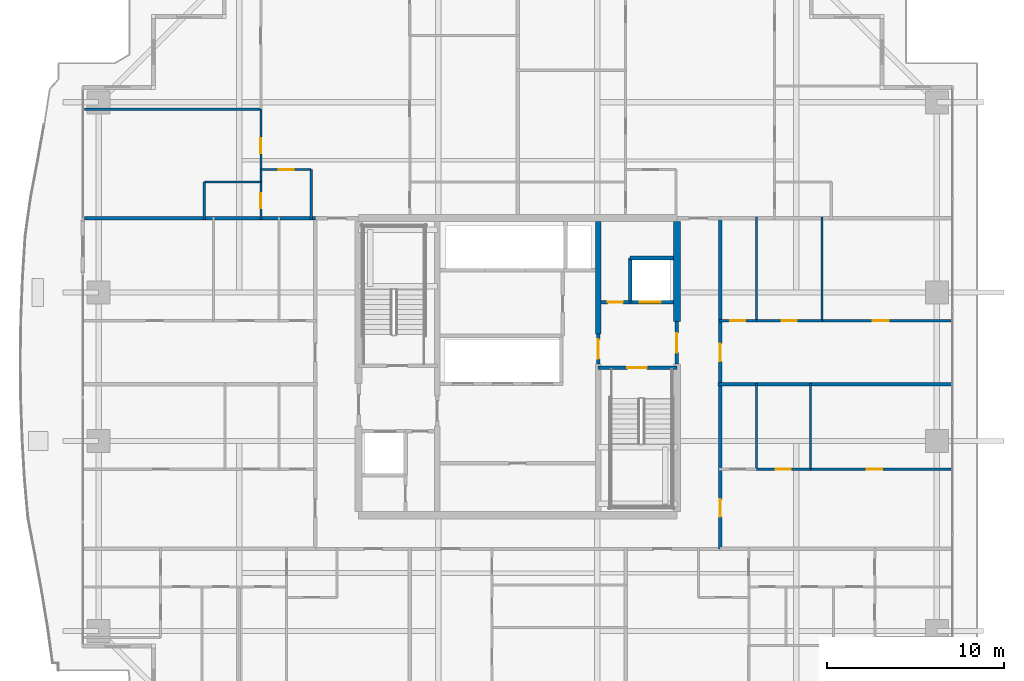
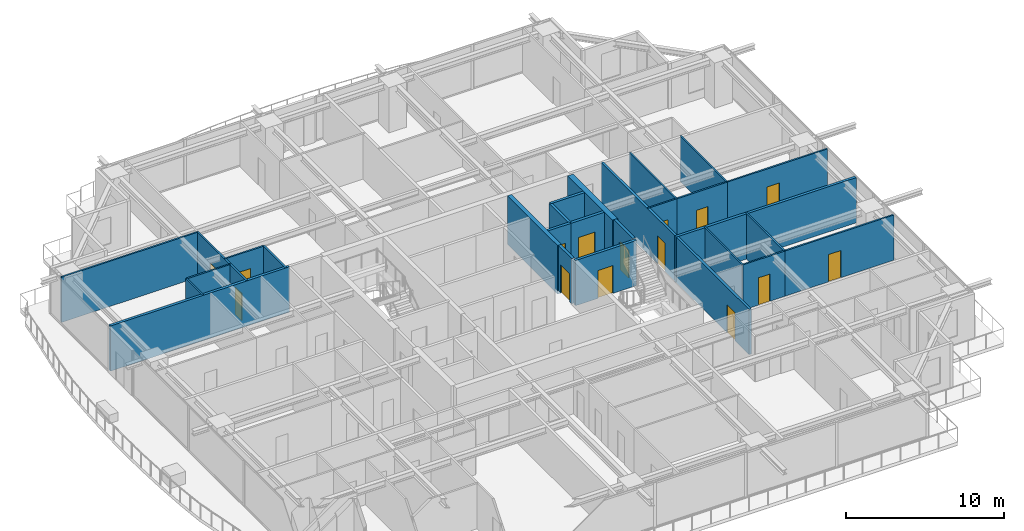
# One storey, part 29 of 37: 28 walls, 15 doors, 15 openings.
"""IFC4 building model written with IfcOpenShell, lengths in metres."""

import ifcopenshell
import ifcopenshell.guid

model = None  # the IFC model being written
_history = None  # IfcOwnerHistory: only IFC2X3 demands one
_inside = {}  # id of a spatial element -> (the spatial element, [elements in it])
_under = {}  # id of a project, library or spatial element -> (it, [spatial elements below it])
_declared = {}  # id of a project -> (the project, [libraries it declares])
_typed = {}  # id of a type object -> (the type object, [elements of that type])
_made_of = {}  # id of a material, layer set ... -> (it, [elements and type objects made of it])


def new_model(schema):
    """Start an empty IFC model of exactly this schema.

    Asked for "IFC4X3", IfcOpenShell would pick the latest addendum, in which some entities
    have other attributes; the version numbers below select the first issue.
    IFC2X3 requires an IfcOwnerHistory on every rooted entity: one is made here for all.
    """
    global model, _history
    if schema == "IFC4X3":
        model = ifcopenshell.file(schema_version=(4, 3, 0, 0))
    else:
        model = ifcopenshell.file(schema=schema)
    _inside.clear()
    _under.clear()
    _declared.clear()
    _typed.clear()
    _made_of.clear()
    _history = None
    if model.schema == "IFC2X3":
        org = make("IfcOrganization", Name="unknown")
        user = make(
            "IfcPersonAndOrganization",
            ThePerson=make("IfcPerson", FamilyName="unknown"),
            TheOrganization=org,
        )
        app = make(
            "IfcApplication",
            ApplicationDeveloper=org,
            Version="unknown",
            ApplicationFullName="unknown",
            ApplicationIdentifier="unknown",
        )
        _history = make(
            "IfcOwnerHistory",
            OwningUser=user,
            OwningApplication=app,
            ChangeAction="ADDED",
            CreationDate=0,
        )
    return model


def make(cls, **values):
    """One entity of the class cls with the attributes given. An attribute that is None is left unset."""
    return model.create_entity(
        cls, **{name: value for name, value in values.items() if value is not None}
    )


def rooted(cls, **values):
    """An entity with a GlobalId (a new one), such as an element, a storey or a relation."""
    return make(cls, GlobalId=ifcopenshell.guid.new(), OwnerHistory=_history, **values)


def si_unit(unit_type, name, prefix=None):
    """IfcSIUnit, for example si_unit("LENGTHUNIT", "METRE", prefix="MILLI")."""
    return make("IfcSIUnit", UnitType=unit_type, Prefix=prefix, Name=name)


def assignment(units):
    """IfcUnitAssignment: the units of a project."""
    return None if units is None else make("IfcUnitAssignment", Units=units)


def point(xyz):
    """IfcCartesianPoint."""
    return None if xyz is None else make("IfcCartesianPoint", Coordinates=xyz)


def direction(xyz):
    """IfcDirection."""
    return None if xyz is None else make("IfcDirection", DirectionRatios=xyz)


def frame(location, z_axis=None, x_axis=None):
    """IfcAxis2Placement3D, a coordinate frame: its origin and axes. An axis left out is left unset."""
    return make(
        "IfcAxis2Placement3D",
        Location=point(location),
        Axis=direction(z_axis),
        RefDirection=direction(x_axis),
    )


def frame_2d(location, x_axis=None):
    """IfcAxis2Placement2D, a coordinate frame in the plane: its origin and x axis."""
    return make(
        "IfcAxis2Placement2D", Location=point(location), RefDirection=direction(x_axis)
    )


def origin():
    """The frame at (0, 0, 0) with its axes left unset."""
    return frame((0.0, 0.0, 0.0))


def place(relative_to, where):
    """IfcLocalPlacement: puts the frame where relative to a parent placement (None: the world)."""
    return make(
        "IfcLocalPlacement", PlacementRelTo=relative_to, RelativePlacement=where
    )


def context(
    kind, dimensions, precision=None, world=None, true_north=None, identifier=None
):
    """IfcGeometricRepresentationContext, for example the 3D "Model" context."""
    return make(
        "IfcGeometricRepresentationContext",
        ContextIdentifier=identifier,
        ContextType=kind,
        CoordinateSpaceDimension=dimensions,
        Precision=precision,
        WorldCoordinateSystem=world,
        TrueNorth=true_north,
    )


def subcontext(parent, identifier, kind, view, scale=None):
    """IfcGeometricRepresentationSubContext, for example "Body" below "Model"."""
    return make(
        "IfcGeometricRepresentationSubContext",
        ContextIdentifier=identifier,
        ContextType=kind,
        ParentContext=parent,
        TargetScale=scale,
        TargetView=view,
    )


def project(units=None, contexts=None):
    """IfcProject with its units and contexts."""
    return rooted(
        "IfcProject",
        Name="project",
        RepresentationContexts=contexts,
        UnitsInContext=assignment(units),
    )


def spatial(cls, under=None, at=None, **own):
    """A site, building, storey or space (cls), placed at a placement, below another one or the project."""
    s = rooted(cls, ObjectPlacement=at, **own)
    if under is not None:
        _under.setdefault(under.id(), (under, []))[1].append(s)
    return s


def profile(cls, at=None, kind="AREA", **sizes):
    """A parametric profile (cls). Its sizes go by their IFC names, for example OverallWidth=200.0."""
    return make(cls, ProfileType=kind, Position=at, **sizes)


def rectangle(**sizes):
    """IfcRectangleProfileDef."""
    return profile("IfcRectangleProfileDef", **sizes)


def extrude(swept, where, along, depth):
    """IfcExtrudedAreaSolid: the profile swept, set in the frame where, extruded along a direction by depth."""
    return make(
        "IfcExtrudedAreaSolid",
        SweptArea=swept,
        Position=where,
        ExtrudedDirection=direction(along),
        Depth=depth,
    )


def shape(context_of_items, identifier, shape_type, items):
    """IfcShapeRepresentation: the items that make up one representation, for example the "Body"."""
    return make(
        "IfcShapeRepresentation",
        ContextOfItems=context_of_items,
        RepresentationIdentifier=identifier,
        RepresentationType=shape_type,
        Items=items,
    )


def source(mapping_origin, context_of_items, identifier, shape_type, items):
    """IfcRepresentationMap: a shape defined once, which mapped items show again and again."""
    return make(
        "IfcRepresentationMap",
        MappingOrigin=mapping_origin,
        MappedRepresentation=shape(context_of_items, identifier, shape_type, items),
    )


def transform(
    local_origin,
    x_axis=None,
    y_axis=None,
    z_axis=None,
    scale=None,
    scale2=None,
    scale3=None,
    uniform=True,
):
    """IfcCartesianTransformationOperator3D, or its non-uniform kind. x_axis, y_axis, z_axis: its Axis1, 2, 3."""
    if uniform:
        return make(
            "IfcCartesianTransformationOperator3D",
            Axis1=direction(x_axis),
            Axis2=direction(y_axis),
            LocalOrigin=point(local_origin),
            Scale=scale,
            Axis3=direction(z_axis),
        )
    return make(
        "IfcCartesianTransformationOperator3DnonUniform",
        Axis1=direction(x_axis),
        Axis2=direction(y_axis),
        LocalOrigin=point(local_origin),
        Scale=scale,
        Axis3=direction(z_axis),
        Scale2=scale2,
        Scale3=scale3,
    )


def mapped(mapping_source, mapping_target):
    """IfcMappedItem: shows the shape of a source again, moved by a transform."""
    return make(
        "IfcMappedItem", MappingSource=mapping_source, MappingTarget=mapping_target
    )


def material(Name=None, Category=None):
    """IfcMaterial."""
    return make("IfcMaterial", Name=Name, Category=Category)


def layer(
    of_material, thickness, ventilated=None, Name=None, Category=None, Priority=None
):
    """IfcMaterialLayer: one layer of a wall or slab, of a material (None: an air gap)."""
    return make(
        "IfcMaterialLayer",
        Material=of_material,
        LayerThickness=thickness,
        IsVentilated=ventilated,
        Name=Name,
        Category=Category,
        Priority=Priority,
    )


def layer_set(layers, Name=None):
    """IfcMaterialLayerSet."""
    return make("IfcMaterialLayerSet", MaterialLayers=layers, LayerSetName=Name)


def made_of(thing, what):
    """Note that an element or type object is made of a material, layer set ...; save() writes the relation."""
    if what is not None:
        _made_of.setdefault(what.id(), (what, []))[1].append(thing)
    return thing


def type_object(cls, material=None, **own):
    """A type object (cls), such as IfcWallType, which elements share."""
    return made_of(rooted(cls, **own), material)


def element(
    cls,
    number,
    at=None,
    inside=None,
    cuts=None,
    type_object=None,
    material=None,
    context=None,
    identifier="Body",
    shape_type=None,
    held_by="IfcProductDefinitionShape",
    body=None,
    shapes=None,
    **own,
):
    """One element of the class cls, such as IfcWall. Its Tag is "e" and its number.

    at: its placement. inside: the storey or other place that contains it. cuts: it is an
    opening in that element (IfcRelVoidsElement). A single representation is given by context,
    identifier, shape_type and body (its items); several are given by shapes. held_by: the class
    of the entity that holds the representations. save() writes the other relations.
    """
    e = rooted(cls, Tag="e%d" % number, ObjectPlacement=at, **own)
    if body is not None:
        shapes = [shape(context, identifier, shape_type, body)]
    if shapes is not None:
        e.Representation = make(held_by, Representations=shapes)
    if inside is not None:
        _inside.setdefault(inside.id(), (inside, []))[1].append(e)
    if cuts is not None:
        rooted(
            "IfcRelVoidsElement", RelatingBuildingElement=cuts, RelatedOpeningElement=e
        )
    if type_object is not None:
        _typed.setdefault(type_object.id(), (type_object, []))[1].append(e)
    return made_of(e, material)


def fill(opening, filler):
    """IfcRelFillsElement: the door or window that sits in an opening."""
    return rooted(
        "IfcRelFillsElement",
        RelatingOpeningElement=opening,
        RelatedBuildingElement=filler,
    )


def aggregate(whole, parts):
    """IfcRelAggregates: a whole, such as a stair, and the parts it consists of."""
    return rooted("IfcRelAggregates", RelatingObject=whole, RelatedObjects=parts)


def save(model, path):
    """Write the relations noted so far, then the file.

    IfcRelAggregates (storeys below a building ...), IfcRelContainedInSpatialStructure (elements
    in a storey), IfcRelDefinesByType, IfcRelAssociatesMaterial and IfcRelDeclares: one each for
    every whole, place, type object, material and project.
    """
    for whole, parts in _under.values():
        aggregate(whole, parts)
    for where, things in _inside.values():
        rooted(
            "IfcRelContainedInSpatialStructure",
            RelatedElements=things,
            RelatingStructure=where,
        )
    for kind, things in _typed.values():
        rooted("IfcRelDefinesByType", RelatedObjects=things, RelatingType=kind)
    for what, things in _made_of.values():
        rooted("IfcRelAssociatesMaterial", RelatedObjects=things, RelatingMaterial=what)
    for by, libraries in _declared.values():
        rooted("IfcRelDeclares", RelatingContext=by, RelatedDefinitions=libraries)
    model.write(path)


model = new_model("IFC4")

# Units and contexts
model_context = context("Model", 3, precision=1e-05, world=origin(), true_north=direction((0.0, 1.0)))
body_context = subcontext(model_context, "Body", "Model", "MODEL_VIEW")
ifc_project = project(units=[si_unit("LENGTHUNIT", "METRE"), si_unit("AREAUNIT", "SQUARE_METRE"), si_unit("VOLUMEUNIT", "CUBIC_METRE"), si_unit("PLANEANGLEUNIT", "RADIAN"), si_unit("MASSUNIT", "GRAM", prefix="KILO")], contexts=[model_context])

# Site, building, storey
site_placement = place(None, origin())
site = spatial("IfcSite", under=ifc_project, at=site_placement, CompositionType="ELEMENT")
building_placement = place(site_placement, origin())
building = spatial("IfcBuilding", under=site, at=building_placement, Name="Serunith Strait Residences", CompositionType="ELEMENT")
storey_placement = place(building_placement, frame((0.0, 0.0, 127.64990234375)))
storey = spatial("IfcBuildingStorey", under=building, at=storey_placement, Name="L31", CompositionType="ELEMENT", Elevation=127.64990234375)

# Wall, openings, doors
ifc_material_1 = material(Name="Fire-rated acoustic gypsum partition")
ifc_layer_1 = layer(ifc_material_1, 0.179931640625, Name="Fire-rated acoustic gypsum partition")
ifc_layer_set_1 = layer_set([ifc_layer_1], Name="Fire-rated acoustic gypsum partition")
wall_type_1 = type_object("IfcWallType", Name="IW-CORR-180", PredefinedType="PARTITIONING", material=ifc_layer_set_1)
wall_1_placement = place(storey_placement, frame((43.85009765625, 14.89990234375, 0.0), z_axis=(0.0, 0.0, 1.0), x_axis=(0.0, 1.0, 0.0)))
wall_1 = element("IfcWall", 1, at=wall_1_placement, inside=storey, type_object=wall_type_1, Name="L31 Partition Wall 026", PredefinedType="PARTITIONING", context=body_context, shape_type="SweptSolid", body=[
    extrude(rectangle(XDim=18.7001953125, YDim=0.179931640625, at=frame_2d((9.35009765625, 0.0))), origin(), (0.0, 0.0, 1.0), 3.489990234375),
])
opening_1_placement = place(wall_1_placement, frame((1.804931640625, 0.0, 0.0)))
opening_1 = element("IfcOpeningElement", 2, at=opening_1_placement, cuts=wall_1, Name="Opening D-APT1000", PredefinedType="OPENING", context=body_context, shape_type="SweptSolid", body=[
    extrude(rectangle(XDim=1.0, YDim=2.14990234375, at=frame_2d((0.5, 1.074951171875))), frame((0.0, 0.10009765625, 0.0), z_axis=(0.0, -1.0, 0.0), x_axis=(1.0, 0.0, 0.0)), (0.0, 0.0, 1.0), 0.199951171875),
])
opening_2_placement = place(wall_1_placement, frame((10.60205078125, 0.0, 0.0)))
opening_2 = element("IfcOpeningElement", 3, at=opening_2_placement, cuts=wall_1, Name="Opening D-APT1000", PredefinedType="OPENING", context=body_context, shape_type="SweptSolid", body=[
    extrude(rectangle(XDim=1.0, YDim=2.14990234375, at=frame_2d((0.5, 1.074951171875))), frame((0.0, 0.10009765625, 0.0), z_axis=(0.0, -1.0, 0.0), x_axis=(1.0, 0.0, 0.0)), (0.0, 0.0, 1.0), 0.199951171875),
])
ifc_material_2 = material(Name="Solid timber engineered fire door", Category="wood")
door_type_1 = type_object("IfcDoorType", Name="ID-APT-1000", OperationType="NOTDEFINED", PredefinedType="DOOR", material=ifc_material_2)
shared_shape_1 = source(origin(), body_context, "Body", "SweptSolid", [
    extrude(rectangle(XDim=1.0, YDim=2.14990234375, at=frame_2d((0.5, 1.074951171875))), frame((0.0, 0.02490234375, 0.0), z_axis=(0.0, -1.0, 0.0), x_axis=(1.0, 0.0, 0.0)), (0.0, 0.0, 1.0), 0.050048828125),
])
door_1_placement = place(opening_1_placement, origin())
door_1 = element("IfcDoor", 4, at=door_1_placement, inside=storey, type_object=door_type_1, Name="L31 Unit 08 Entrance Door", OperationType="SINGLE_SWING_LEFT", OverallHeight=2.14990234375, OverallWidth=1.0, PredefinedType="DOOR", context=body_context, shape_type="MappedRepresentation", body=[
    mapped(shared_shape_1, transform((0.0, 0.0, 0.0), scale=1.0)),
])
fill(opening_1, door_1)
door_2_placement = place(opening_2_placement, origin())
door_2 = element("IfcDoor", 5, at=door_2_placement, inside=storey, type_object=door_type_1, Name="L31 Unit 09 Entrance Door", OperationType="SINGLE_SWING_RIGHT", OverallHeight=2.14990234375, OverallWidth=1.0, PredefinedType="DOOR", context=body_context, shape_type="MappedRepresentation", body=[
    mapped(shared_shape_1, transform((0.0, 0.0, 0.0), scale=1.0)),
])
fill(opening_2, door_2)

# Wall, opening, door
ifc_material_3 = material(Name="Lightweight steel-stud gypsum partition", Category="steel")
ifc_layer_2 = layer(ifc_material_3, 0.1201171875, Name="Lightweight steel-stud gypsum partition")
ifc_layer_set_2 = layer_set([ifc_layer_2], Name="Lightweight steel-stud gypsum partition")
wall_type_2 = type_object("IfcWallType", Name="IW-PART-120", PredefinedType="PARTITIONING", material=ifc_layer_set_2)
wall_2_placement = place(storey_placement, frame((17.8701171875, 36.35009765625, 0.0), z_axis=(0.0, 0.0, 1.0), x_axis=(1.0, 0.0, 0.0)))
wall_2 = element("IfcWall", 6, at=wall_2_placement, inside=storey, type_object=wall_type_2, Name="L31 Partition Wall 066", PredefinedType="PARTITIONING", context=body_context, shape_type="SweptSolid", body=[
    extrude(rectangle(XDim=2.849853515625, YDim=0.1201171875, at=frame_2d((1.4248046875, 0.0))), origin(), (0.0, 0.0, 1.0), 3.489990234375),
])
opening_3_placement = place(wall_2_placement, frame((1.0, 0.0, 0.0)))
opening_3 = element("IfcOpeningElement", 7, at=opening_3_placement, cuts=wall_2, Name="Opening D-RM850", PredefinedType="OPENING", context=body_context, shape_type="SweptSolid", body=[
    extrude(rectangle(XDim=0.85009765625, YDim=2.10009765625, at=frame_2d((0.425048828125, 1.050048828125))), frame((0.0, 0.070068359375, 0.0), z_axis=(0.0, -1.0, 0.0), x_axis=(1.0, 0.0, 0.0)), (0.0, 0.0, 1.0), 0.14013671875),
])
ifc_material_4 = material(Name="Engineered timber flush study and kitchen door", Category="wood")
door_type_2 = type_object("IfcDoorType", Name="ID-ROOM-850", OperationType="NOTDEFINED", PredefinedType="DOOR", material=ifc_material_4)
shared_shape_2 = source(origin(), body_context, "Body", "SweptSolid", [
    extrude(rectangle(XDim=0.85009765625, YDim=2.10009765625, at=frame_2d((0.425048828125, 1.050048828125))), frame((0.0, 0.02490234375, 0.0), z_axis=(0.0, -1.0, 0.0), x_axis=(1.0, 0.0, 0.0)), (0.0, 0.0, 1.0), 0.050048828125),
])
door_3_placement = place(opening_3_placement, origin())
door_3 = element("IfcDoor", 8, at=door_3_placement, inside=storey, type_object=door_type_2, Name="L31 Kitchen 3104 Door", OperationType="SINGLE_SWING_LEFT", OverallHeight=2.10009765625, OverallWidth=0.85009765625, PredefinedType="DOOR", context=body_context, shape_type="MappedRepresentation", body=[
    mapped(shared_shape_2, transform((0.0, 0.0, 0.0), scale=1.0)),
])
fill(opening_3, door_3)

# Walls
wall_3_placement = place(storey_placement, frame((20.719970703125, 36.35009765625, 0.0), z_axis=(0.0, 0.0, 1.0), x_axis=(0.0, -1.0, 0.0)))
element("IfcWall", 9, at=wall_3_placement, inside=storey, type_object=wall_type_2, Name="L31 Partition Wall 067", PredefinedType="PARTITIONING", context=body_context, shape_type="SweptSolid", body=[
    extrude(rectangle(XDim=2.81005859375, YDim=0.1201171875, at=frame_2d((1.405029296875, 0.0))), origin(), (0.0, 0.0, 1.0), 3.489990234375),
])
wall_4_placement = place(storey_placement, frame((7.89501953125, 39.764892578125, 0.0), z_axis=(0.0, 0.0, 1.0), x_axis=(1.0, 0.0, 0.0)))
element("IfcWall", 10, at=wall_4_placement, inside=storey, type_object=wall_type_2, Name="L31 Partition Wall 069", PredefinedType="PARTITIONING", context=body_context, shape_type="SweptSolid", body=[
    extrude(rectangle(XDim=9.97509765625, YDim=0.1201171875, at=frame_2d((4.987548828125, 0.0))), origin(), (0.0, 0.0, 1.0), 3.489990234375),
])
wall_5_placement = place(storey_placement, frame((14.669921875, 35.64990234375, 0.0), z_axis=(0.0, 0.0, 1.0), x_axis=(1.0, 0.0, 0.0)))
element("IfcWall", 11, at=wall_5_placement, inside=storey, type_object=wall_type_2, Name="L31 Partition Wall 070", PredefinedType="PARTITIONING", context=body_context, shape_type="SweptSolid", body=[
    extrude(rectangle(XDim=3.2001953125, YDim=0.1201171875, at=frame_2d((1.60009765625, 0.0))), origin(), (0.0, 0.0, 1.0), 3.489990234375),
])
wall_6_placement = place(storey_placement, frame((14.669921875, 35.64990234375, 0.0), z_axis=(0.0, 0.0, 1.0), x_axis=(0.0, -1.0, 0.0)))
element("IfcWall", 12, at=wall_6_placement, inside=storey, type_object=wall_type_2, Name="L31 Partition Wall 071", PredefinedType="PARTITIONING", context=body_context, shape_type="SweptSolid", body=[
    extrude(rectangle(XDim=2.10986328125, YDim=0.1201171875, at=frame_2d((1.054931640625, 0.0))), origin(), (0.0, 0.0, 1.0), 3.489990234375),
])

# Wall, opening, door
wall_7_placement = place(storey_placement, frame((17.8701171875, 39.762939453125, 0.0), z_axis=(0.0, 0.0, 1.0), x_axis=(0.0, -1.0, 0.0)))
wall_7 = element("IfcWall", 13, at=wall_7_placement, inside=storey, type_object=wall_type_2, Name="L31 Partition Wall 072", PredefinedType="PARTITIONING", context=body_context, shape_type="SweptSolid", body=[
    extrude(rectangle(XDim=4.113037109375, YDim=0.1201171875, at=frame_2d((2.056640625, 0.0))), origin(), (0.0, 0.0, 1.0), 3.489990234375),
])
opening_4_placement = place(wall_7_placement, frame((1.631103515625, 0.0, 0.0)))
opening_4 = element("IfcOpeningElement", 14, at=opening_4_placement, cuts=wall_7, Name="Opening D-RM850", PredefinedType="OPENING", context=body_context, shape_type="SweptSolid", body=[
    extrude(rectangle(XDim=0.85009765625, YDim=2.10009765625, at=frame_2d((0.425048828125, 1.050048828125))), frame((0.0, 0.070068359375, 0.0), z_axis=(0.0, -1.0, 0.0), x_axis=(1.0, 0.0, 0.0)), (0.0, 0.0, 1.0), 0.14013671875),
])
door_4_placement = place(opening_4_placement, origin())
door_4 = element("IfcDoor", 15, at=door_4_placement, inside=storey, type_object=door_type_2, Name="L31 Walk-in Wardrobe 3104 Door", OperationType="SINGLE_SWING_LEFT", OverallHeight=2.10009765625, OverallWidth=0.85009765625, PredefinedType="DOOR", context=body_context, shape_type="MappedRepresentation", body=[
    mapped(shared_shape_2, transform((0.0, 0.0, 0.0), scale=1.0)),
])
fill(opening_4, door_4)

wall_8_placement = place(storey_placement, frame((17.8701171875, 35.64794921875, 0.0), z_axis=(0.0, 0.0, 1.0), x_axis=(0.0, -1.0, 0.0)))
wall_8 = element("IfcWall", 16, at=wall_8_placement, inside=storey, type_object=wall_type_2, Name="L31 Partition Wall 073", PredefinedType="PARTITIONING", context=body_context, shape_type="SweptSolid", body=[
    extrude(rectangle(XDim=2.10791015625, YDim=0.1201171875, at=frame_2d((1.053955078125, 0.0))), origin(), (0.0, 0.0, 1.0), 3.489990234375),
])
opening_5_placement = place(wall_8_placement, frame((0.62890625, 0.0, 0.0)))
opening_5 = element("IfcOpeningElement", 17, at=opening_5_placement, cuts=wall_8, Name="Opening D-BTH850", PredefinedType="OPENING", context=body_context, shape_type="SweptSolid", body=[
    extrude(rectangle(XDim=0.85009765625, YDim=2.10009765625, at=frame_2d((0.425048828125, 1.050048828125))), frame((0.0, 0.070068359375, 0.0), z_axis=(0.0, -1.0, 0.0), x_axis=(1.0, 0.0, 0.0)), (0.0, 0.0, 1.0), 0.14013671875),
])
ifc_material_5 = material(Name="Moisture-resistant timber bathroom door", Category="wood")
door_type_3 = type_object("IfcDoorType", Name="ID-BATH-850", OperationType="NOTDEFINED", PredefinedType="DOOR", material=ifc_material_5)
door_5_placement = place(opening_5_placement, origin())
door_5 = element("IfcDoor", 18, at=door_5_placement, inside=storey, type_object=door_type_3, Name="L31 Bathroom 3104 Door", OperationType="SINGLE_SWING_RIGHT", OverallHeight=2.10009765625, OverallWidth=0.85009765625, PredefinedType="DOOR", context=body_context, shape_type="MappedRepresentation", body=[
    mapped(shared_shape_2, transform((0.0, 0.0, 0.0), scale=1.0)),
])
fill(opening_5, door_5)

wall_9_placement = place(storey_placement, frame((56.905029296875, 19.39990234375, 0.0), z_axis=(0.0, 0.0, 1.0), x_axis=(-1.0, 0.0, 0.0)))
wall_9 = element("IfcWall", 19, at=wall_9_placement, inside=storey, type_object=wall_type_2, Name="L31 Partition Wall 102", PredefinedType="PARTITIONING", context=body_context, shape_type="SweptSolid", body=[
    extrude(rectangle(XDim=7.950927734375, YDim=0.1201171875, at=frame_2d((3.9755859375, 0.0))), origin(), (0.0, 0.0, 1.0), 3.489990234375),
])
opening_6_placement = place(wall_9_placement, frame((3.8779296875, 0.0, 0.0)))
opening_6 = element("IfcOpeningElement", 20, at=opening_6_placement, cuts=wall_9, Name="Opening D-RM900", PredefinedType="OPENING", context=body_context, shape_type="SweptSolid", body=[
    extrude(rectangle(XDim=0.89990234375, YDim=2.10009765625, at=frame_2d((0.449951171875, 1.050048828125))), frame((0.0, 0.070068359375, 0.0), z_axis=(0.0, -1.0, 0.0), x_axis=(1.0, 0.0, 0.0)), (0.0, 0.0, 1.0), 0.14013671875),
])
ifc_material_6 = material(Name="Engineered timber flush bedroom door", Category="wood")
door_type_4 = type_object("IfcDoorType", Name="ID-ROOM-900", OperationType="NOTDEFINED", PredefinedType="DOOR", material=ifc_material_6)
shared_shape_3 = source(origin(), body_context, "Body", "SweptSolid", [
    extrude(rectangle(XDim=0.89990234375, YDim=2.10009765625, at=frame_2d((0.449951171875, 1.050048828125))), frame((0.0, 0.02490234375, 0.0), z_axis=(0.0, -1.0, 0.0), x_axis=(1.0, 0.0, 0.0)), (0.0, 0.0, 1.0), 0.050048828125),
])
door_6_placement = place(opening_6_placement, origin())
door_6 = element("IfcDoor", 21, at=door_6_placement, inside=storey, type_object=door_type_4, Name="L31 Master Bedroom 1 3108 Door", OperationType="SINGLE_SWING_LEFT", OverallHeight=2.10009765625, OverallWidth=0.89990234375, PredefinedType="DOOR", context=body_context, shape_type="MappedRepresentation", body=[
    mapped(shared_shape_3, transform((0.0, 0.0, 0.0), scale=1.0)),
])
fill(opening_6, door_6)

# Walls
for number, where, z_axis, x_axis, name in (
    (22, (48.9541015625, 19.39990234375, 0.0), (0.0, 0.0, 1.0), (0.0, 1.0, 0.0), "L31 Partition Wall 103"),
    (23, (45.89990234375, 19.39990234375, 0.0), (0.0, 0.0, 1.0), (0.0, 1.0, 0.0), "L31 Partition Wall 104"),
):
    element("IfcWall", number, at=place(storey_placement, frame(where, z_axis=z_axis, x_axis=x_axis)), inside=storey, type_object=wall_type_2, Name=name, PredefinedType="PARTITIONING", context=body_context, shape_type="SweptSolid", body=[
        extrude(rectangle(XDim=4.860107421875, YDim=0.1201171875, at=frame_2d((2.43017578125, 0.0))), origin(), (0.0, 0.0, 1.0), 3.489990234375),
    ])

# Wall, opening, door
wall_10_placement = place(storey_placement, frame((48.951904296875, 19.39990234375, 0.0), z_axis=(0.0, 0.0, 1.0), x_axis=(-1.0, 0.0, 0.0)))
wall_10 = element("IfcWall", 24, at=wall_10_placement, inside=storey, type_object=wall_type_2, Name="L31 Partition Wall 105", PredefinedType="PARTITIONING", context=body_context, shape_type="SweptSolid", body=[
    extrude(rectangle(XDim=3.052001953125, YDim=0.1201171875, at=frame_2d((1.52587890625, 0.0))), origin(), (0.0, 0.0, 1.0), 3.489990234375),
])
opening_7_placement = place(wall_10_placement, frame((1.10107421875, 0.0, 0.0)))
opening_7 = element("IfcOpeningElement", 25, at=opening_7_placement, cuts=wall_10, Name="Opening D-RM850", PredefinedType="OPENING", context=body_context, shape_type="SweptSolid", body=[
    extrude(rectangle(XDim=0.85009765625, YDim=2.10009765625, at=frame_2d((0.425048828125, 1.050048828125))), frame((0.0, 0.070068359375, 0.0), z_axis=(0.0, -1.0, 0.0), x_axis=(1.0, 0.0, 0.0)), (0.0, 0.0, 1.0), 0.14013671875),
])
door_7_placement = place(opening_7_placement, origin())
door_7 = element("IfcDoor", 26, at=door_7_placement, inside=storey, type_object=door_type_2, Name="L31 Kitchen 3108 Door", OperationType="SINGLE_SWING_RIGHT", OverallHeight=2.10009765625, OverallWidth=0.85009765625, PredefinedType="DOOR", context=body_context, shape_type="MappedRepresentation", body=[
    mapped(shared_shape_2, transform((0.0, 0.0, 0.0), scale=1.0)),
])
fill(opening_7, door_7)

wall_11_placement = place(storey_placement, frame((56.905029296875, 27.800048828125, 0.0), z_axis=(0.0, 0.0, 1.0), x_axis=(-1.0, 0.0, 0.0)))
wall_11 = element("IfcWall", 27, at=wall_11_placement, inside=storey, type_object=wall_type_2, Name="L31 Partition Wall 107", PredefinedType="PARTITIONING", context=body_context, shape_type="SweptSolid", body=[
    extrude(rectangle(XDim=7.302978515625, YDim=0.1201171875, at=frame_2d((3.6513671875, 0.0))), origin(), (0.0, 0.0, 1.0), 3.489990234375),
])
opening_8_placement = place(wall_11_placement, frame((3.52197265625, 0.0, 0.0)))
opening_8 = element("IfcOpeningElement", 28, at=opening_8_placement, cuts=wall_11, Name="Opening D-RM900", PredefinedType="OPENING", context=body_context, shape_type="SweptSolid", body=[
    extrude(rectangle(XDim=0.89990234375, YDim=2.10009765625, at=frame_2d((0.449951171875, 1.050048828125))), frame((0.0, 0.070068359375, 0.0), z_axis=(0.0, -1.0, 0.0), x_axis=(1.0, 0.0, 0.0)), (0.0, 0.0, 1.0), 0.14013671875),
])
door_8_placement = place(opening_8_placement, origin())
door_8 = element("IfcDoor", 29, at=door_8_placement, inside=storey, type_object=door_type_4, Name="L31 Master Bedroom 1 3109 Door", OperationType="SINGLE_SWING_RIGHT", OverallHeight=2.10009765625, OverallWidth=0.89990234375, PredefinedType="DOOR", context=body_context, shape_type="MappedRepresentation", body=[
    mapped(shared_shape_3, transform((0.0, 0.0, 0.0), scale=1.0)),
])
fill(opening_8, door_8)

# Walls
for number, where, z_axis, x_axis, name in (
    (30, (49.60205078125, 27.800048828125, 0.0), (0.0, 0.0, 1.0), (0.0, 1.0, 0.0), "L31 Partition Wall 108"),
    (31, (45.89990234375, 27.800048828125, 0.0), (0.0, 0.0, 1.0), (0.0, 1.0, 0.0), "L31 Partition Wall 109"),
):
    element("IfcWall", number, at=place(storey_placement, frame(where, z_axis=z_axis, x_axis=x_axis)), inside=storey, type_object=wall_type_2, Name=name, PredefinedType="PARTITIONING", context=body_context, shape_type="SweptSolid", body=[
        extrude(rectangle(XDim=5.85986328125, YDim=0.1201171875, at=frame_2d((2.929931640625, 0.0))), origin(), (0.0, 0.0, 1.0), 3.489990234375),
    ])

# Wall, opening, door
wall_12_placement = place(storey_placement, frame((49.60009765625, 27.800048828125, 0.0), z_axis=(0.0, 0.0, 1.0), x_axis=(-1.0, 0.0, 0.0)))
wall_12 = element("IfcWall", 32, at=wall_12_placement, inside=storey, type_object=wall_type_2, Name="L31 Partition Wall 110", PredefinedType="PARTITIONING", context=body_context, shape_type="SweptSolid", body=[
    extrude(rectangle(XDim=3.7001953125, YDim=0.1201171875, at=frame_2d((1.85009765625, 0.0))), origin(), (0.0, 0.0, 1.0), 3.489990234375),
])
opening_9_placement = place(wall_12_placement, frame((1.425048828125, 0.0, 0.0)))
opening_9 = element("IfcOpeningElement", 33, at=opening_9_placement, cuts=wall_12, Name="Opening D-RM850", PredefinedType="OPENING", context=body_context, shape_type="SweptSolid", body=[
    extrude(rectangle(XDim=0.85009765625, YDim=2.10009765625, at=frame_2d((0.425048828125, 1.050048828125))), frame((0.0, 0.070068359375, 0.0), z_axis=(0.0, -1.0, 0.0), x_axis=(1.0, 0.0, 0.0)), (0.0, 0.0, 1.0), 0.14013671875),
])
door_9_placement = place(opening_9_placement, origin())
door_9 = element("IfcDoor", 34, at=door_9_placement, inside=storey, type_object=door_type_2, Name="L31 Kitchen 3109 Door", OperationType="SINGLE_SWING_LEFT", OverallHeight=2.10009765625, OverallWidth=0.85009765625, PredefinedType="DOOR", context=body_context, shape_type="MappedRepresentation", body=[
    mapped(shared_shape_2, transform((0.0, 0.0, 0.0), scale=1.0)),
])
fill(opening_9, door_9)

wall_13_placement = place(storey_placement, frame((45.89794921875, 27.800048828125, 0.0), z_axis=(0.0, 0.0, 1.0), x_axis=(-1.0, 0.0, 0.0)))
wall_13 = element("IfcWall", 35, at=wall_13_placement, inside=storey, type_object=wall_type_2, Name="L31 Partition Wall 111", PredefinedType="PARTITIONING", context=body_context, shape_type="SweptSolid", body=[
    extrude(rectangle(XDim=2.10791015625, YDim=0.1201171875, at=frame_2d((1.053955078125, 0.0))), origin(), (0.0, 0.0, 1.0), 3.489990234375),
])
opening_10_placement = place(wall_13_placement, frame((0.62890625, 0.0, 0.0)))
opening_10 = element("IfcOpeningElement", 36, at=opening_10_placement, cuts=wall_13, Name="Opening D-BTH850", PredefinedType="OPENING", context=body_context, shape_type="SweptSolid", body=[
    extrude(rectangle(XDim=0.85009765625, YDim=2.10009765625, at=frame_2d((0.425048828125, 1.050048828125))), frame((0.0, 0.070068359375, 0.0), z_axis=(0.0, -1.0, 0.0), x_axis=(1.0, 0.0, 0.0)), (0.0, 0.0, 1.0), 0.14013671875),
])
door_10_placement = place(opening_10_placement, origin())
door_10 = element("IfcDoor", 37, at=door_10_placement, inside=storey, type_object=door_type_3, Name="L31 Bathroom 3109 Door", OperationType="SINGLE_SWING_RIGHT", OverallHeight=2.10009765625, OverallWidth=0.85009765625, PredefinedType="DOOR", context=body_context, shape_type="MappedRepresentation", body=[
    mapped(shared_shape_2, transform((0.0, 0.0, 0.0), scale=1.0)),
])
fill(opening_10, door_10)

# Walls
ifc_material_7 = material(Name="Twin-stud acoustic gypsum board partition")
ifc_layer_3 = layer(ifc_material_7, 0.199951171875, Name="Twin-stud acoustic gypsum board partition")
ifc_layer_set_3 = layer_set([ifc_layer_3], Name="Twin-stud acoustic gypsum board partition")
wall_type_3 = type_object("IfcWallType", Name="IW-PARTY-200", PredefinedType="PARTITIONING", material=ifc_layer_set_3)
wall_14_placement = place(storey_placement, frame((43.72998046875, 24.199951171875, 0.0), z_axis=(0.0, 0.0, 1.0), x_axis=(1.0, 0.0, 0.0)))
element("IfcWall", 38, at=wall_14_placement, inside=storey, type_object=wall_type_3, Name="L31 Partition Wall 019", PredefinedType="PARTITIONING", context=body_context, shape_type="SweptSolid", body=[
    extrude(rectangle(XDim=13.18798828125, YDim=0.199951171875, at=frame_2d((6.593994140625, 0.0))), origin(), (0.0, 0.0, 1.0), 3.489990234375),
])
wall_15_placement = place(storey_placement, frame((7.882080078125, 33.60009765625, 0.0), z_axis=(0.0, 0.0, 1.0), x_axis=(1.0, 0.0, 0.0)))
element("IfcWall", 39, at=wall_15_placement, inside=storey, type_object=wall_type_3, Name="L31 Partition Wall 022", PredefinedType="PARTITIONING", context=body_context, shape_type="SweptSolid", body=[
    extrude(rectangle(XDim=13.06787109375, YDim=0.199951171875, at=frame_2d((6.533935546875, 0.0))), origin(), (0.0, 0.0, 1.0), 3.489990234375),
])

# Wall, opening, door
ifc_material_8 = material(Name="Autoclaved aerated concrete blockwork", Category="masonry")
ifc_layer_4 = layer(ifc_material_8, 0.199951171875, Name="Autoclaved aerated concrete blockwork")
ifc_layer_set_4 = layer_set([ifc_layer_4], Name="Autoclaved aerated concrete blockwork")
wall_type_4 = type_object("IfcWallType", Name="IW-SHAFT-200", PredefinedType="STANDARD", material=ifc_layer_set_4)
wall_16_placement = place(storey_placement, frame((36.949951171875, 25.14990234375, 0.0), z_axis=(0.0, 0.0, 1.0), x_axis=(1.0, 0.0, 0.0)))
wall_16 = element("IfcWall", 40, at=wall_16_placement, inside=storey, type_object=wall_type_4, Name="L31 ST-2 North Shaft Wall", PredefinedType="STANDARD", context=body_context, shape_type="SweptSolid", body=[
    extrude(rectangle(XDim=4.449951171875, YDim=0.199951171875, at=frame_2d((2.22509765625, 0.0))), origin(), (0.0, 0.0, 1.0), 3.489990234375),
])
opening_11_placement = place(wall_16_placement, frame((1.64990234375, 0.0, 0.0)))
opening_11 = element("IfcOpeningElement", 41, at=opening_11_placement, cuts=wall_16, Name="Opening FD-1100", PredefinedType="OPENING", context=body_context, shape_type="SweptSolid", body=[
    extrude(rectangle(XDim=1.10009765625, YDim=2.14990234375, at=frame_2d((0.550048828125, 1.074951171875))), frame((0.0, 0.10986328125, 0.0), z_axis=(0.0, -1.0, 0.0), x_axis=(1.0, 0.0, 0.0)), (0.0, 0.0, 1.0), 0.219970703125),
])
ifc_material_9 = material(Name="Galvanised steel fire door leaf", Category="steel")
door_type_5 = type_object("IfcDoorType", Name="FD-STAIR-1100", OperationType="NOTDEFINED", PredefinedType="DOOR", material=ifc_material_9)
shared_shape_4 = source(origin(), body_context, "Body", "SweptSolid", [
    extrude(rectangle(XDim=1.10009765625, YDim=2.14990234375, at=frame_2d((0.550048828125, 1.074951171875))), frame((0.0, 0.02490234375, 0.0), z_axis=(0.0, -1.0, 0.0), x_axis=(1.0, 0.0, 0.0)), (0.0, 0.0, 1.0), 0.050048828125),
])
door_11_placement = place(opening_11_placement, origin())
door_11 = element("IfcDoor", 42, at=door_11_placement, inside=storey, type_object=door_type_5, Name="L31 ST-2 Escape Stair Door", OperationType="SINGLE_SWING_RIGHT", OverallHeight=2.14990234375, OverallWidth=1.10009765625, PredefinedType="DOOR", context=body_context, shape_type="MappedRepresentation", body=[
    mapped(shared_shape_4, transform((0.0, 0.0, 0.0), scale=1.0)),
])
fill(opening_11, door_11)

wall_17_placement = place(storey_placement, frame((38.75, 28.85009765625, 0.0), z_axis=(0.0, 0.0, 1.0), x_axis=(1.0, 0.0, 0.0)))
wall_17 = element("IfcWall", 43, at=wall_17_placement, inside=storey, type_object=wall_type_4, Name="L31 FL-2 South Shaft Wall", PredefinedType="STANDARD", context=body_context, shape_type="SweptSolid", body=[
    extrude(rectangle(XDim=2.449951171875, YDim=0.199951171875, at=frame_2d((1.22509765625, 0.0))), origin(), (0.0, 0.0, 1.0), 3.489990234375),
])
opening_12_placement = place(wall_17_placement, frame((0.550048828125, 0.0, 0.0)))
opening_12 = element("IfcOpeningElement", 44, at=opening_12_placement, cuts=wall_17, Name="Opening LD-FF1200", PredefinedType="OPENING", context=body_context, shape_type="SweptSolid", body=[
    extrude(rectangle(XDim=1.199951171875, YDim=2.199951171875, at=frame_2d((0.60009765625, 1.10009765625))), frame((0.0, 0.10986328125, 0.0), z_axis=(0.0, -1.0, 0.0), x_axis=(1.0, 0.0, 0.0)), (0.0, 0.0, 1.0), 0.219970703125),
])
ifc_material_10 = material(Name="Brushed stainless steel landing door", Category="steel")
door_type_6 = type_object("IfcDoorType", Name="LD-FF-1200", OperationType="DOUBLE_DOOR_SLIDING", PredefinedType="DOOR", material=ifc_material_10)
shared_shape_5 = source(origin(), body_context, "Body", "SweptSolid", [
    extrude(rectangle(XDim=1.199951171875, YDim=2.199951171875, at=frame_2d((0.60009765625, 1.10009765625))), frame((0.0, 0.02490234375, 0.0), z_axis=(0.0, -1.0, 0.0), x_axis=(1.0, 0.0, 0.0)), (0.0, 0.0, 1.0), 0.050048828125),
])
door_12_placement = place(opening_12_placement, origin())
door_12 = element("IfcDoor", 45, at=door_12_placement, inside=storey, type_object=door_type_6, Name="L31 FL-2 Landing Door", OperationType="DOUBLE_DOOR_SLIDING", OverallHeight=2.199951171875, OverallWidth=1.199951171875, PredefinedType="DOOR", context=body_context, shape_type="MappedRepresentation", body=[
    mapped(shared_shape_5, transform((0.0, 0.0, 0.0), scale=1.0)),
])
fill(opening_12, door_12)

# Walls
wall_18_placement = place(storey_placement, frame((38.75, 28.85009765625, 0.0), z_axis=(0.0, 0.0, 1.0), x_axis=(0.0, 1.0, 0.0)))
element("IfcWall", 46, at=wall_18_placement, inside=storey, type_object=wall_type_4, Name="L31 Partition Wall 004", PredefinedType="STANDARD", context=body_context, shape_type="SweptSolid", body=[
    extrude(rectangle(XDim=2.5, YDim=0.199951171875, at=frame_2d((1.25, 0.0))), origin(), (0.0, 0.0, 1.0), 3.489990234375),
])
wall_19_placement = place(storey_placement, frame((38.75, 31.35009765625, 0.0), z_axis=(0.0, 0.0, 1.0), x_axis=(1.0, 0.0, 0.0)))
element("IfcWall", 47, at=wall_19_placement, inside=storey, type_object=wall_type_4, Name="L31 Partition Wall 005", PredefinedType="STANDARD", context=body_context, shape_type="SweptSolid", body=[
    extrude(rectangle(XDim=2.449951171875, YDim=0.199951171875, at=frame_2d((1.22509765625, 0.0))), origin(), (0.0, 0.0, 1.0), 3.489990234375),
])

# Wall, opening, door
wall_20_placement = place(storey_placement, frame((37.10009765625, 28.85009765625, 0.0), z_axis=(0.0, 0.0, 1.0), x_axis=(1.0, 0.0, 0.0)))
wall_20 = element("IfcWall", 48, at=wall_20_placement, inside=storey, type_object=wall_type_4, Name="L31 Partition Wall 006", PredefinedType="STANDARD", context=body_context, shape_type="SweptSolid", body=[
    extrude(rectangle(XDim=1.64794921875, YDim=0.199951171875, at=frame_2d((0.823974609375, 0.0))), origin(), (0.0, 0.0, 1.0), 3.489990234375),
])
opening_13_placement = place(wall_20_placement, frame((0.39892578125, 0.0, 0.0)))
opening_13 = element("IfcOpeningElement", 49, at=opening_13_placement, cuts=wall_20, Name="Opening FD-850", PredefinedType="OPENING", context=body_context, shape_type="SweptSolid", body=[
    extrude(rectangle(XDim=0.85009765625, YDim=2.10009765625, at=frame_2d((0.425048828125, 1.050048828125))), frame((0.0, 0.10986328125, 0.0), z_axis=(0.0, -1.0, 0.0), x_axis=(1.0, 0.0, 0.0)), (0.0, 0.0, 1.0), 0.219970703125),
])
ifc_material_11 = material(Name="Powder-coated steel service closet door", Category="steel")
door_type_7 = type_object("IfcDoorType", Name="FD-BOH-850", OperationType="NOTDEFINED", PredefinedType="DOOR", material=ifc_material_11)
door_13_placement = place(opening_13_placement, origin())
door_13 = element("IfcDoor", 50, at=door_13_placement, inside=storey, type_object=door_type_7, Name="L31 North-East Core Service Door", OperationType="SINGLE_SWING_RIGHT", OverallHeight=2.10009765625, OverallWidth=0.85009765625, PredefinedType="DOOR", context=body_context, shape_type="MappedRepresentation", body=[
    mapped(shared_shape_2, transform((0.0, 0.0, 0.0), scale=1.0)),
])
fill(opening_13, door_13)

wall_21_placement = place(storey_placement, frame((41.39990234375, 25.35205078125, 0.0), z_axis=(0.0, 0.0, 1.0), x_axis=(0.0, 1.0, 0.0)))
wall_21 = element("IfcWall", 51, at=wall_21_placement, inside=storey, type_object=wall_type_4, Name="L31 Partition Wall 008", PredefinedType="STANDARD", context=body_context, shape_type="SweptSolid", body=[
    extrude(rectangle(XDim=2.39599609375, YDim=0.199951171875, at=frame_2d((1.197998046875, 0.0))), origin(), (0.0, 0.0, 1.0), 3.489990234375),
])
opening_14_placement = place(wall_21_placement, frame((0.64794921875, 0.0, 0.0)))
opening_14 = element("IfcOpeningElement", 52, at=opening_14_placement, cuts=wall_21, Name="Opening FD-FFL", PredefinedType="OPENING", context=body_context, shape_type="SweptSolid", body=[
    extrude(rectangle(XDim=1.10009765625, YDim=2.14990234375, at=frame_2d((0.550048828125, 1.074951171875))), frame((0.0, 0.10986328125, 0.0), z_axis=(0.0, -1.0, 0.0), x_axis=(1.0, 0.0, 0.0)), (0.0, 0.0, 1.0), 0.219970703125),
])
ifc_material_12 = material(Name="Glazed steel smoke-lobby fire door", Category="steel")
door_type_8 = type_object("IfcDoorType", Name="FD-FFL-1100", OperationType="NOTDEFINED", PredefinedType="DOOR", material=ifc_material_12)
door_14_placement = place(opening_14_placement, origin())
door_14 = element("IfcDoor", 53, at=door_14_placement, inside=storey, type_object=door_type_8, Name="L31 FFL-2 Corridor Fire Door", OperationType="SINGLE_SWING_RIGHT", OverallHeight=2.14990234375, OverallWidth=1.10009765625, PredefinedType="DOOR", context=body_context, shape_type="MappedRepresentation", body=[
    mapped(shared_shape_4, transform((0.0, 0.0, 0.0), scale=1.0)),
])
fill(opening_14, door_14)

wall_22_placement = place(storey_placement, frame((36.949951171875, 25.35205078125, 0.0), z_axis=(0.0, 0.0, 1.0), x_axis=(0.0, 1.0, 0.0)))
wall_22 = element("IfcWall", 54, at=wall_22_placement, inside=storey, type_object=wall_type_4, Name="L31 Partition Wall 010", PredefinedType="STANDARD", context=body_context, shape_type="SweptSolid", body=[
    extrude(rectangle(XDim=1.696044921875, YDim=0.199951171875, at=frame_2d((0.84814453125, 0.0))), origin(), (0.0, 0.0, 1.0), 3.489990234375),
])
opening_15_placement = place(wall_22_placement, frame((0.298095703125, 0.0, 0.0)))
opening_15 = element("IfcOpeningElement", 55, at=opening_15_placement, cuts=wall_22, Name="Opening FD-FFL", PredefinedType="OPENING", context=body_context, shape_type="SweptSolid", body=[
    extrude(rectangle(XDim=1.10009765625, YDim=2.14990234375, at=frame_2d((0.550048828125, 1.074951171875))), frame((0.0, 0.10986328125, 0.0), z_axis=(0.0, -1.0, 0.0), x_axis=(1.0, 0.0, 0.0)), (0.0, 0.0, 1.0), 0.219970703125),
])
door_15_placement = place(opening_15_placement, origin())
door_15 = element("IfcDoor", 56, at=door_15_placement, inside=storey, type_object=door_type_8, Name="L31 FFL-2 Lift Lobby Door", OperationType="SINGLE_SWING_RIGHT", OverallHeight=2.14990234375, OverallWidth=1.10009765625, PredefinedType="DOOR", context=body_context, shape_type="MappedRepresentation", body=[
    mapped(shared_shape_4, transform((0.0, 0.0, 0.0), scale=1.0)),
])
fill(opening_15, door_15)

# Walls
ifc_material_13 = material(Name="Concrete C70/85", Category="concrete")
ifc_layer_5 = layer(ifc_material_13, 0.300048828125, Name="Concrete C70/85")
ifc_layer_set_5 = layer_set([ifc_layer_5], Name="Concrete C70/85")
wall_type_5 = type_object("IfcWallType", Name="SW-300-C70", PredefinedType="SHEAR", material=ifc_layer_set_5)
wall_23_placement = place(storey_placement, frame((36.949951171875, 27.050048828125, -0.260009765625), z_axis=(0.0, 0.0, 1.0), x_axis=(0.0, 1.0, 0.0)))
element("IfcWall", 57, at=wall_23_placement, inside=storey, type_object=wall_type_5, Name="L31 Core Internal East Web North Pier", PredefinedType="SHEAR", context=body_context, shape_type="SweptSolid", body=[
    extrude(rectangle(XDim=6.349853515625, YDim=0.300048828125, at=frame_2d((3.1748046875, 0.0))), origin(), (0.0, 0.0, 1.0), 3.748046875),
])
ifc_layer_6 = layer(ifc_material_13, 0.39990234375, Name="Concrete C70/85")
ifc_layer_set_6 = layer_set([ifc_layer_6], Name="Concrete C70/85")
wall_type_6 = type_object("IfcWallType", Name="SW-400-C70", PredefinedType="SHEAR", material=ifc_layer_set_6)
wall_24_placement = place(storey_placement, frame((41.39990234375, 27.75, -0.260009765625), z_axis=(0.0, 0.0, 1.0), x_axis=(0.0, 1.0, 0.0)))
element("IfcWall", 58, at=wall_24_placement, inside=storey, type_object=wall_type_6, Name="L31 Core East Shear Wall North Pier", PredefinedType="SHEAR", context=body_context, shape_type="SweptSolid", body=[
    extrude(rectangle(XDim=5.64990234375, YDim=0.39990234375, at=frame_2d((2.824951171875, 0.0))), origin(), (0.0, 0.0, 1.0), 3.748046875),
])

save(model, "model.ifc")
